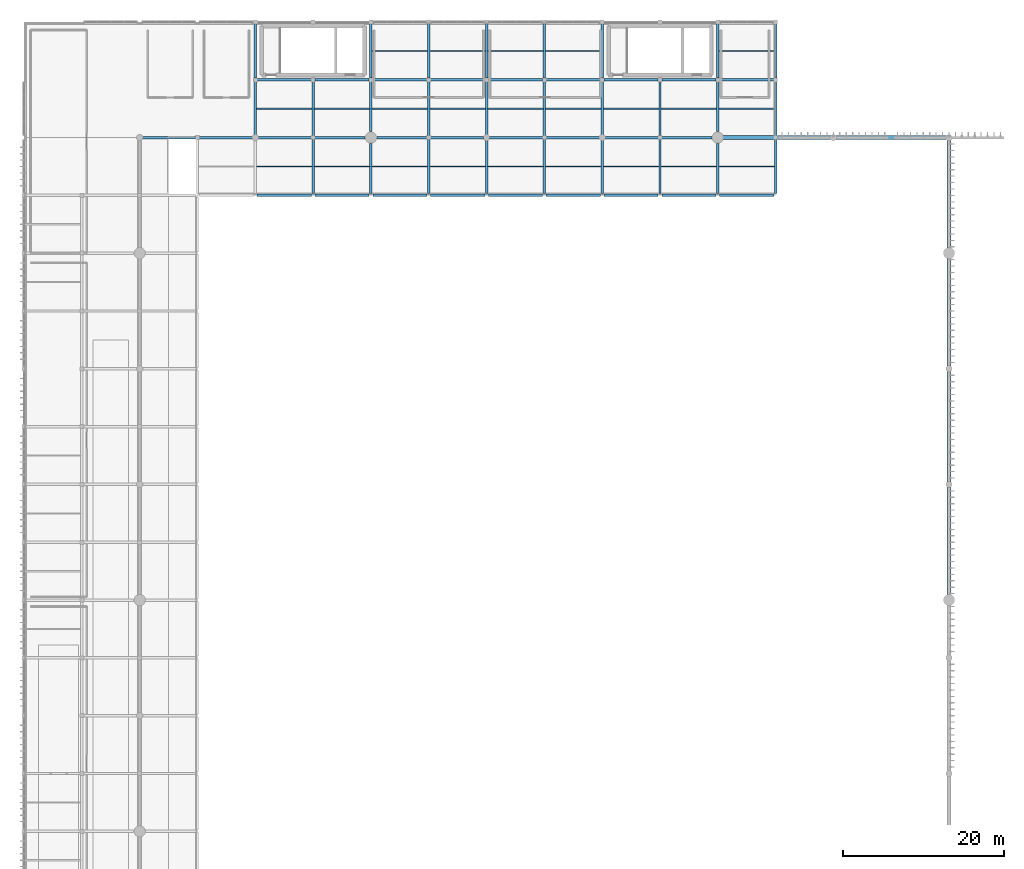
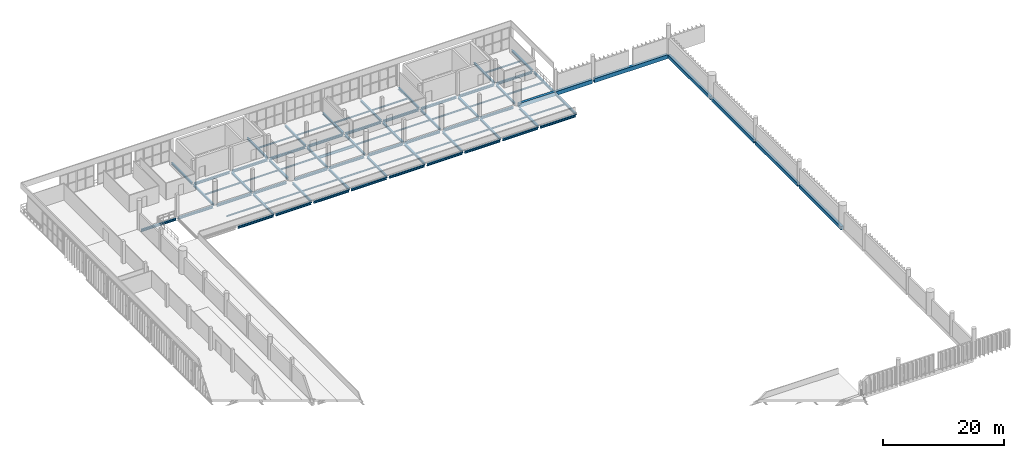
# One storey, part 30 of 64: 84 beams.
"""IFC4 building model written with IfcOpenShell, lengths in metres."""

from ifc_helpers import new_model, si_unit, direction, frame, origin, origin_2d, place, context, subcontext, project, spatial, rectangle, i_section, extrude, material, material_profile, profile_set, type_object, element, save


model = new_model("IFC4")

# Units and contexts
model_context = context("Model", 3, precision=1e-05, world=origin(), true_north=direction((0.0, 1.0)))
body_context = subcontext(model_context, "Body", "Model", "MODEL_VIEW")
ifc_project = project(units=[si_unit("LENGTHUNIT", "METRE"), si_unit("AREAUNIT", "SQUARE_METRE"), si_unit("VOLUMEUNIT", "CUBIC_METRE"), si_unit("PLANEANGLEUNIT", "RADIAN"), si_unit("MASSUNIT", "GRAM", prefix="KILO")], contexts=[model_context])

# Site, building, storey
site_placement = place(None, origin())
site = spatial("IfcSite", under=ifc_project, at=site_placement, CompositionType="ELEMENT")
building_placement = place(site_placement, origin())
building = spatial("IfcBuilding", under=site, at=building_placement, Name="Qandorah Velis Arena", CompositionType="ELEMENT")
storey_placement = place(building_placement, frame((0.0, 0.0, 23.0)))
storey = spatial("IfcBuildingStorey", under=building, at=storey_placement, Name="L05", CompositionType="ELEMENT", Elevation=23.0)

# Beams
ifc_material_1 = material(Name="Steel S355", Category="steel")
ifc_material_profile_1 = material_profile(ifc_material_1, i_section(OverallWidth=0.300048828125, OverallDepth=0.39990234375, WebThickness=0.013427734375, FlangeThickness=0.02392578125, FilletRadius=0.027099609375, at=origin_2d()), Name="HEB 400")
ifc_profile_set_1 = profile_set([ifc_material_profile_1], Name="Steel S355")
beam_type_1 = type_object("IfcBeamType", Name="STR-BM-HEB400", PredefinedType="BEAM", material=ifc_profile_set_1)
beam_1_placement = place(storey_placement, frame((28.800048828125, 115.550048828125, -0.449951171875), z_axis=(0.0, 1.0, 0.0), x_axis=(-1.0, 0.0, 0.0)))
element("IfcBeam", 1, at=beam_1_placement, inside=storey, type_object=beam_type_1, Name="Primary floor girder L05 Y-156", PredefinedType="BEAM", context=body_context, shape_type="SweptSolid", body=[
    extrude(i_section(OverallWidth=0.300048828125, OverallDepth=0.39990234375, WebThickness=0.013427734375, FlangeThickness=0.02392578125, FilletRadius=0.027099609375, at=origin_2d()), origin(), (0.0, 0.0, 1.0), 6.625),
])
for number, where, z_axis, x_axis, name in (
    (2, (28.800048828125, 122.625, -0.449951171875), (0.0, 1.0, 0.0), (-1.0, 0.0, 0.0), "Primary floor girder L05 Y-157"),
    (3, (36.0, 108.22509765625, -0.449951171875), (0.0, 1.0, 0.0), (-1.0, 0.0, 0.0), "Primary floor girder L05 Y-160"),
):
    element("IfcBeam", number, at=place(storey_placement, frame(where, z_axis=z_axis, x_axis=x_axis)), inside=storey, type_object=beam_type_1, Name=name, PredefinedType="BEAM", context=body_context, shape_type="SweptSolid", body=[
        extrude(i_section(OverallWidth=0.300048828125, OverallDepth=0.39990234375, WebThickness=0.013427734375, FlangeThickness=0.02392578125, FilletRadius=0.027099609375, at=origin_2d()), origin(), (0.0, 0.0, 1.0), 6.79638671875),
    ])
beam_2_placement = place(storey_placement, frame((36.0, 115.37841796875, -0.449951171875), z_axis=(0.0, 1.0, 0.0), x_axis=(-1.0, 0.0, 0.0)))
element("IfcBeam", 4, at=beam_2_placement, inside=storey, type_object=beam_type_1, Name="Primary floor girder L05 Y-161", PredefinedType="BEAM", context=body_context, shape_type="SweptSolid", body=[
    extrude(i_section(OverallWidth=0.300048828125, OverallDepth=0.39990234375, WebThickness=0.013427734375, FlangeThickness=0.02392578125, FilletRadius=0.027099609375, at=origin_2d()), origin(), (0.0, 0.0, 1.0), 6.796630859375),
])
beam_3_placement = place(storey_placement, frame((43.199951171875, 108.22509765625, -0.449951171875), z_axis=(0.0, 1.0, 0.0), x_axis=(-1.0, 0.0, 0.0)))
element("IfcBeam", 5, at=beam_3_placement, inside=storey, type_object=beam_type_1, Name="Primary floor girder L05 Y-165", PredefinedType="BEAM", context=body_context, shape_type="SweptSolid", body=[
    extrude(i_section(OverallWidth=0.300048828125, OverallDepth=0.39990234375, WebThickness=0.013427734375, FlangeThickness=0.02392578125, FilletRadius=0.027099609375, at=origin_2d()), origin(), (0.0, 0.0, 1.0), 6.224853515625),
])
beam_4_placement = place(storey_placement, frame((43.199951171875, 115.949951171875, -0.449951171875), z_axis=(0.0, 1.0, 0.0), x_axis=(-1.0, 0.0, 0.0)))
element("IfcBeam", 6, at=beam_4_placement, inside=storey, type_object=beam_type_1, Name="Primary floor girder L05 Y-166", PredefinedType="BEAM", context=body_context, shape_type="SweptSolid", body=[
    extrude(i_section(OverallWidth=0.300048828125, OverallDepth=0.39990234375, WebThickness=0.013427734375, FlangeThickness=0.02392578125, FilletRadius=0.027099609375, at=origin_2d()), origin(), (0.0, 0.0, 1.0), 6.22509765625),
])
for number, where, z_axis, x_axis, name in (
    (7, (43.199951171875, 122.625, -0.449951171875), (0.0, 1.0, 0.0), (-1.0, 0.0, 0.0), "Primary floor girder L05 Y-167"),
    (8, (50.39990234375, 108.22509765625, -0.449951171875), (0.0, 1.0, 0.0), (-1.0, 0.0, 0.0), "Primary floor girder L05 Y-171"),
):
    element("IfcBeam", number, at=place(storey_placement, frame(where, z_axis=z_axis, x_axis=x_axis)), inside=storey, type_object=beam_type_1, Name=name, PredefinedType="BEAM", context=body_context, shape_type="SweptSolid", body=[
        extrude(i_section(OverallWidth=0.300048828125, OverallDepth=0.39990234375, WebThickness=0.013427734375, FlangeThickness=0.02392578125, FilletRadius=0.027099609375, at=origin_2d()), origin(), (0.0, 0.0, 1.0), 6.79638671875),
    ])
beam_5_placement = place(storey_placement, frame((50.39990234375, 115.37841796875, -0.449951171875), z_axis=(0.0, 1.0, 0.0), x_axis=(-1.0, 0.0, 0.0)))
element("IfcBeam", 9, at=beam_5_placement, inside=storey, type_object=beam_type_1, Name="Primary floor girder L05 Y-172", PredefinedType="BEAM", context=body_context, shape_type="SweptSolid", body=[
    extrude(i_section(OverallWidth=0.300048828125, OverallDepth=0.39990234375, WebThickness=0.013427734375, FlangeThickness=0.02392578125, FilletRadius=0.027099609375, at=origin_2d()), origin(), (0.0, 0.0, 1.0), 6.796630859375),
])
beam_6_placement = place(storey_placement, frame((50.39990234375, 122.625, -0.449951171875), z_axis=(0.0, 1.0, 0.0), x_axis=(-1.0, 0.0, 0.0)))
element("IfcBeam", 10, at=beam_6_placement, inside=storey, type_object=beam_type_1, Name="Primary floor girder L05 Y-173", PredefinedType="BEAM", context=body_context, shape_type="SweptSolid", body=[
    extrude(i_section(OverallWidth=0.300048828125, OverallDepth=0.39990234375, WebThickness=0.013427734375, FlangeThickness=0.02392578125, FilletRadius=0.027099609375, at=origin_2d()), origin(), (0.0, 0.0, 1.0), 6.79638671875),
])
for number, where, z_axis, x_axis, name in (
    (11, (57.60009765625, 108.22509765625, -0.449951171875), (0.0, 1.0, 0.0), (-1.0, 0.0, 0.0), "Primary floor girder L05 Y-177"),
    (12, (57.60009765625, 115.550048828125, -0.449951171875), (0.0, 1.0, 0.0), (-1.0, 0.0, 0.0), "Primary floor girder L05 Y-178"),
):
    element("IfcBeam", number, at=place(storey_placement, frame(where, z_axis=z_axis, x_axis=x_axis)), inside=storey, type_object=beam_type_1, Name=name, PredefinedType="BEAM", context=body_context, shape_type="SweptSolid", body=[
        extrude(i_section(OverallWidth=0.300048828125, OverallDepth=0.39990234375, WebThickness=0.013427734375, FlangeThickness=0.02392578125, FilletRadius=0.027099609375, at=origin_2d()), origin(), (0.0, 0.0, 1.0), 6.625),
    ])
for number, where, z_axis, x_axis, name in (
    (13, (57.60009765625, 122.625, -0.449951171875), (0.0, 1.0, 0.0), (-1.0, 0.0, 0.0), "Primary floor girder L05 Y-179"),
    (14, (64.800048828125, 108.22509765625, -0.449951171875), (0.0, 1.0, 0.0), (-1.0, 0.0, 0.0), "Primary floor girder L05 Y-183"),
):
    element("IfcBeam", number, at=place(storey_placement, frame(where, z_axis=z_axis, x_axis=x_axis)), inside=storey, type_object=beam_type_1, Name=name, PredefinedType="BEAM", context=body_context, shape_type="SweptSolid", body=[
        extrude(i_section(OverallWidth=0.300048828125, OverallDepth=0.39990234375, WebThickness=0.013427734375, FlangeThickness=0.02392578125, FilletRadius=0.027099609375, at=origin_2d()), origin(), (0.0, 0.0, 1.0), 6.79638671875),
    ])
beam_7_placement = place(storey_placement, frame((64.800048828125, 115.37841796875, -0.449951171875), z_axis=(0.0, 1.0, 0.0), x_axis=(-1.0, 0.0, 0.0)))
element("IfcBeam", 15, at=beam_7_placement, inside=storey, type_object=beam_type_1, Name="Primary floor girder L05 Y-184", PredefinedType="BEAM", context=body_context, shape_type="SweptSolid", body=[
    extrude(i_section(OverallWidth=0.300048828125, OverallDepth=0.39990234375, WebThickness=0.013427734375, FlangeThickness=0.02392578125, FilletRadius=0.027099609375, at=origin_2d()), origin(), (0.0, 0.0, 1.0), 6.796630859375),
])
beam_8_placement = place(storey_placement, frame((64.800048828125, 122.625, -0.449951171875), z_axis=(0.0, 1.0, 0.0), x_axis=(-1.0, 0.0, 0.0)))
element("IfcBeam", 16, at=beam_8_placement, inside=storey, type_object=beam_type_1, Name="Primary floor girder L05 Y-185", PredefinedType="BEAM", context=body_context, shape_type="SweptSolid", body=[
    extrude(i_section(OverallWidth=0.300048828125, OverallDepth=0.39990234375, WebThickness=0.013427734375, FlangeThickness=0.02392578125, FilletRadius=0.027099609375, at=origin_2d()), origin(), (0.0, 0.0, 1.0), 6.79638671875),
])
for number, where, z_axis, x_axis, name in (
    (17, (72.0, 108.22509765625, -0.449951171875), (0.0, 1.0, 0.0), (-1.0, 0.0, 0.0), "Primary floor girder L05 Y-189"),
    (18, (72.0, 115.550048828125, -0.449951171875), (0.0, 1.0, 0.0), (-1.0, 0.0, 0.0), "Primary floor girder L05 Y-190"),
):
    element("IfcBeam", number, at=place(storey_placement, frame(where, z_axis=z_axis, x_axis=x_axis)), inside=storey, type_object=beam_type_1, Name=name, PredefinedType="BEAM", context=body_context, shape_type="SweptSolid", body=[
        extrude(i_section(OverallWidth=0.300048828125, OverallDepth=0.39990234375, WebThickness=0.013427734375, FlangeThickness=0.02392578125, FilletRadius=0.027099609375, at=origin_2d()), origin(), (0.0, 0.0, 1.0), 6.625),
    ])
for number, where, z_axis, x_axis, name in (
    (19, (72.0, 122.625, -0.449951171875), (0.0, 1.0, 0.0), (-1.0, 0.0, 0.0), "Primary floor girder L05 Y-191"),
    (20, (79.199951171875, 108.22509765625, -0.449951171875), (0.0, 1.0, 0.0), (-1.0, 0.0, 0.0), "Primary floor girder L05 Y-194"),
):
    element("IfcBeam", number, at=place(storey_placement, frame(where, z_axis=z_axis, x_axis=x_axis)), inside=storey, type_object=beam_type_1, Name=name, PredefinedType="BEAM", context=body_context, shape_type="SweptSolid", body=[
        extrude(i_section(OverallWidth=0.300048828125, OverallDepth=0.39990234375, WebThickness=0.013427734375, FlangeThickness=0.02392578125, FilletRadius=0.027099609375, at=origin_2d()), origin(), (0.0, 0.0, 1.0), 6.79638671875),
    ])
beam_9_placement = place(storey_placement, frame((79.199951171875, 115.37841796875, -0.449951171875), z_axis=(0.0, 1.0, 0.0), x_axis=(-1.0, 0.0, 0.0)))
element("IfcBeam", 21, at=beam_9_placement, inside=storey, type_object=beam_type_1, Name="Primary floor girder L05 Y-195", PredefinedType="BEAM", context=body_context, shape_type="SweptSolid", body=[
    extrude(i_section(OverallWidth=0.300048828125, OverallDepth=0.39990234375, WebThickness=0.013427734375, FlangeThickness=0.02392578125, FilletRadius=0.027099609375, at=origin_2d()), origin(), (0.0, 0.0, 1.0), 6.796630859375),
])
beam_10_placement = place(storey_placement, frame((86.39990234375, 108.22509765625, -0.449951171875), z_axis=(0.0, 1.0, 0.0), x_axis=(-1.0, 0.0, 0.0)))
element("IfcBeam", 22, at=beam_10_placement, inside=storey, type_object=beam_type_1, Name="Primary floor girder L05 Y-199", PredefinedType="BEAM", context=body_context, shape_type="SweptSolid", body=[
    extrude(i_section(OverallWidth=0.300048828125, OverallDepth=0.39990234375, WebThickness=0.013427734375, FlangeThickness=0.02392578125, FilletRadius=0.027099609375, at=origin_2d()), origin(), (0.0, 0.0, 1.0), 6.224853515625),
])
beam_11_placement = place(storey_placement, frame((86.39990234375, 115.949951171875, -0.449951171875), z_axis=(0.0, 1.0, 0.0), x_axis=(-1.0, 0.0, 0.0)))
element("IfcBeam", 23, at=beam_11_placement, inside=storey, type_object=beam_type_1, Name="Primary floor girder L05 Y-200", PredefinedType="BEAM", context=body_context, shape_type="SweptSolid", body=[
    extrude(i_section(OverallWidth=0.300048828125, OverallDepth=0.39990234375, WebThickness=0.013427734375, FlangeThickness=0.02392578125, FilletRadius=0.027099609375, at=origin_2d()), origin(), (0.0, 0.0, 1.0), 6.22509765625),
])
for number, where, z_axis, x_axis, name in (
    (24, (86.39990234375, 122.625, -0.449951171875), (0.0, 1.0, 0.0), (-1.0, 0.0, 0.0), "Primary floor girder L05 Y-201"),
    (25, (93.60009765625, 108.22509765625, -0.449951171875), (0.0, 1.0, 0.0), (-1.0, 0.0, 0.0), "Primary floor girder L05 Y-205"),
):
    element("IfcBeam", number, at=place(storey_placement, frame(where, z_axis=z_axis, x_axis=x_axis)), inside=storey, type_object=beam_type_1, Name=name, PredefinedType="BEAM", context=body_context, shape_type="SweptSolid", body=[
        extrude(i_section(OverallWidth=0.300048828125, OverallDepth=0.39990234375, WebThickness=0.013427734375, FlangeThickness=0.02392578125, FilletRadius=0.027099609375, at=origin_2d()), origin(), (0.0, 0.0, 1.0), 6.79638671875),
    ])
beam_12_placement = place(storey_placement, frame((93.60009765625, 115.37841796875, -0.449951171875), z_axis=(0.0, 1.0, 0.0), x_axis=(-1.0, 0.0, 0.0)))
element("IfcBeam", 26, at=beam_12_placement, inside=storey, type_object=beam_type_1, Name="Primary floor girder L05 Y-206", PredefinedType="BEAM", context=body_context, shape_type="SweptSolid", body=[
    extrude(i_section(OverallWidth=0.300048828125, OverallDepth=0.39990234375, WebThickness=0.013427734375, FlangeThickness=0.02392578125, FilletRadius=0.027099609375, at=origin_2d()), origin(), (0.0, 0.0, 1.0), 6.796630859375),
])
beam_13_placement = place(storey_placement, frame((93.60009765625, 122.625, -0.449951171875), z_axis=(0.0, 1.0, 0.0), x_axis=(-1.0, 0.0, 0.0)))
element("IfcBeam", 27, at=beam_13_placement, inside=storey, type_object=beam_type_1, Name="Primary floor girder L05 Y-207", PredefinedType="BEAM", context=body_context, shape_type="SweptSolid", body=[
    extrude(i_section(OverallWidth=0.300048828125, OverallDepth=0.39990234375, WebThickness=0.013427734375, FlangeThickness=0.02392578125, FilletRadius=0.027099609375, at=origin_2d()), origin(), (0.0, 0.0, 1.0), 6.79638671875),
])
ifc_material_profile_2 = material_profile(ifc_material_1, i_section(OverallWidth=0.300048828125, OverallDepth=0.449951171875, WebThickness=0.013916015625, FlangeThickness=0.02587890625, FilletRadius=0.027099609375, at=origin_2d()), Name="HEB 450")
ifc_profile_set_2 = profile_set([ifc_material_profile_2], Name="Steel S355")
beam_type_2 = type_object("IfcBeamType", Name="STR-BM-HEB450", PredefinedType="BEAM", material=ifc_profile_set_2)
for number, where, z_axis, x_axis, name in (
    (28, (29.02490234375, 108.0, -0.47509765625), (1.0, 0.0, 0.0), (0.0, 1.0, 0.0), "Primary floor girder L05 X-077"),
    (29, (36.22509765625, 108.0, -0.47509765625), (1.0, 0.0, 0.0), (0.0, 1.0, 0.0), "Primary floor girder L05 X-078"),
    (30, (43.425048828125, 108.0, -0.47509765625), (1.0, 0.0, 0.0), (0.0, 1.0, 0.0), "Primary floor girder L05 X-079"),
    (31, (50.625, 108.0, -0.47509765625), (1.0, 0.0, 0.0), (0.0, 1.0, 0.0), "Primary floor girder L05 X-080"),
    (32, (57.824951171875, 108.0, -0.47509765625), (1.0, 0.0, 0.0), (0.0, 1.0, 0.0), "Primary floor girder L05 X-081"),
    (33, (65.02490234375, 108.0, -0.47509765625), (1.0, 0.0, 0.0), (0.0, 1.0, 0.0), "Primary floor girder L05 X-082"),
    (34, (72.22509765625, 108.0, -0.47509765625), (1.0, 0.0, 0.0), (0.0, 1.0, 0.0), "Primary floor girder L05 X-083"),
    (35, (79.425048828125, 108.0, -0.47509765625), (1.0, 0.0, 0.0), (0.0, 1.0, 0.0), "Primary floor girder L05 X-084"),
    (36, (86.625, 108.0, -0.47509765625), (1.0, 0.0, 0.0), (0.0, 1.0, 0.0), "Primary floor girder L05 X-085"),
):
    element("IfcBeam", number, at=place(storey_placement, frame(where, z_axis=z_axis, x_axis=x_axis)), inside=storey, type_object=beam_type_2, Name=name, PredefinedType="BEAM", context=body_context, shape_type="SweptSolid", body=[
        extrude(i_section(OverallWidth=0.300048828125, OverallDepth=0.449951171875, WebThickness=0.013916015625, FlangeThickness=0.02587890625, FilletRadius=0.027099609375, at=origin_2d()), origin(), (0.0, 0.0, 1.0), 6.75),
    ])
for number, where, z_axis, x_axis, name in (
    (37, (14.75, 115.199951171875, -0.47509765625), (1.0, 0.0, 0.0), (0.0, 1.0, 0.0), "Primary floor girder L05 X-086"),
    (38, (21.778564453125, 115.199951171875, -0.47509765625), (1.0, 0.0, 0.0), (0.0, 1.0, 0.0), "Primary floor girder L05 X-087"),
):
    element("IfcBeam", number, at=place(storey_placement, frame(where, z_axis=z_axis, x_axis=x_axis)), inside=storey, type_object=beam_type_2, Name=name, PredefinedType="BEAM", context=body_context, shape_type="SweptSolid", body=[
        extrude(i_section(OverallWidth=0.300048828125, OverallDepth=0.449951171875, WebThickness=0.013916015625, FlangeThickness=0.02587890625, FilletRadius=0.027099609375, at=origin_2d()), origin(), (0.0, 0.0, 1.0), 6.67138671875),
    ])
beam_14_placement = place(storey_placement, frame((29.14990234375, 115.199951171875, -0.47509765625), z_axis=(1.0, 0.0, 0.0), x_axis=(0.0, 1.0, 0.0)))
element("IfcBeam", 39, at=beam_14_placement, inside=storey, type_object=beam_type_2, Name="Primary floor girder L05 X-088", PredefinedType="BEAM", context=body_context, shape_type="SweptSolid", body=[
    extrude(i_section(OverallWidth=0.300048828125, OverallDepth=0.449951171875, WebThickness=0.013916015625, FlangeThickness=0.02587890625, FilletRadius=0.027099609375, at=origin_2d()), origin(), (0.0, 0.0, 1.0), 6.671630859375),
])
for number, where, z_axis, x_axis, name in (
    (40, (36.178466796875, 115.199951171875, -0.47509765625), (1.0, 0.0, 0.0), (0.0, 1.0, 0.0), "Primary floor girder L05 X-089"),
    (41, (43.949951171875, 115.199951171875, -0.47509765625), (1.0, 0.0, 0.0), (0.0, 1.0, 0.0), "Primary floor girder L05 X-090"),
):
    element("IfcBeam", number, at=place(storey_placement, frame(where, z_axis=z_axis, x_axis=x_axis)), inside=storey, type_object=beam_type_2, Name=name, PredefinedType="BEAM", context=body_context, shape_type="SweptSolid", body=[
        extrude(i_section(OverallWidth=0.300048828125, OverallDepth=0.449951171875, WebThickness=0.013916015625, FlangeThickness=0.02587890625, FilletRadius=0.027099609375, at=origin_2d()), origin(), (0.0, 0.0, 1.0), 6.271484375),
    ])
beam_15_placement = place(storey_placement, frame((50.57861328125, 115.199951171875, -0.47509765625), z_axis=(1.0, 0.0, 0.0), x_axis=(0.0, 1.0, 0.0)))
element("IfcBeam", 42, at=beam_15_placement, inside=storey, type_object=beam_type_2, Name="Primary floor girder L05 X-091", PredefinedType="BEAM", context=body_context, shape_type="SweptSolid", body=[
    extrude(i_section(OverallWidth=0.300048828125, OverallDepth=0.449951171875, WebThickness=0.013916015625, FlangeThickness=0.02587890625, FilletRadius=0.027099609375, at=origin_2d()), origin(), (0.0, 0.0, 1.0), 6.67138671875),
])
beam_16_placement = place(storey_placement, frame((57.949951171875, 115.199951171875, -0.47509765625), z_axis=(1.0, 0.0, 0.0), x_axis=(0.0, 1.0, 0.0)))
element("IfcBeam", 43, at=beam_16_placement, inside=storey, type_object=beam_type_2, Name="Primary floor girder L05 X-092", PredefinedType="BEAM", context=body_context, shape_type="SweptSolid", body=[
    extrude(i_section(OverallWidth=0.300048828125, OverallDepth=0.449951171875, WebThickness=0.013916015625, FlangeThickness=0.02587890625, FilletRadius=0.027099609375, at=origin_2d()), origin(), (0.0, 0.0, 1.0), 6.671630859375),
])
for number, where, z_axis, x_axis, name in (
    (44, (64.978515625, 115.199951171875, -0.47509765625), (1.0, 0.0, 0.0), (0.0, 1.0, 0.0), "Primary floor girder L05 X-093"),
    (45, (72.35009765625, 115.199951171875, -0.47509765625), (1.0, 0.0, 0.0), (0.0, 1.0, 0.0), "Primary floor girder L05 X-094"),
):
    element("IfcBeam", number, at=place(storey_placement, frame(where, z_axis=z_axis, x_axis=x_axis)), inside=storey, type_object=beam_type_2, Name=name, PredefinedType="BEAM", context=body_context, shape_type="SweptSolid", body=[
        extrude(i_section(OverallWidth=0.300048828125, OverallDepth=0.449951171875, WebThickness=0.013916015625, FlangeThickness=0.02587890625, FilletRadius=0.027099609375, at=origin_2d()), origin(), (0.0, 0.0, 1.0), 6.67138671875),
    ])
beam_17_placement = place(storey_placement, frame((79.37841796875, 115.199951171875, -0.47509765625), z_axis=(1.0, 0.0, 0.0), x_axis=(0.0, 1.0, 0.0)))
element("IfcBeam", 46, at=beam_17_placement, inside=storey, type_object=beam_type_2, Name="Primary floor girder L05 X-095", PredefinedType="BEAM", context=body_context, shape_type="SweptSolid", body=[
    extrude(i_section(OverallWidth=0.300048828125, OverallDepth=0.449951171875, WebThickness=0.013916015625, FlangeThickness=0.02587890625, FilletRadius=0.027099609375, at=origin_2d()), origin(), (0.0, 0.0, 1.0), 6.271484375),
])
for number, where, z_axis, x_axis, name in (
    (47, (29.02490234375, 122.39990234375, -0.47509765625), (1.0, 0.0, 0.0), (0.0, 1.0, 0.0), "Primary floor girder L05 X-096"),
    (48, (36.22509765625, 122.39990234375, -0.47509765625), (1.0, 0.0, 0.0), (0.0, 1.0, 0.0), "Primary floor girder L05 X-097"),
    (49, (43.425048828125, 122.39990234375, -0.47509765625), (1.0, 0.0, 0.0), (0.0, 1.0, 0.0), "Primary floor girder L05 X-098"),
    (50, (50.625, 122.39990234375, -0.47509765625), (1.0, 0.0, 0.0), (0.0, 1.0, 0.0), "Primary floor girder L05 X-099"),
    (51, (57.824951171875, 122.39990234375, -0.47509765625), (1.0, 0.0, 0.0), (0.0, 1.0, 0.0), "Primary floor girder L05 X-100"),
    (52, (65.02490234375, 122.39990234375, -0.47509765625), (1.0, 0.0, 0.0), (0.0, 1.0, 0.0), "Primary floor girder L05 X-101"),
    (53, (72.22509765625, 122.39990234375, -0.47509765625), (1.0, 0.0, 0.0), (0.0, 1.0, 0.0), "Primary floor girder L05 X-102"),
    (54, (79.425048828125, 122.39990234375, -0.47509765625), (1.0, 0.0, 0.0), (0.0, 1.0, 0.0), "Primary floor girder L05 X-103"),
    (55, (86.625, 122.39990234375, -0.47509765625), (1.0, 0.0, 0.0), (0.0, 1.0, 0.0), "Primary floor girder L05 X-104"),
):
    element("IfcBeam", number, at=place(storey_placement, frame(where, z_axis=z_axis, x_axis=x_axis)), inside=storey, type_object=beam_type_2, Name=name, PredefinedType="BEAM", context=body_context, shape_type="SweptSolid", body=[
        extrude(i_section(OverallWidth=0.300048828125, OverallDepth=0.449951171875, WebThickness=0.013916015625, FlangeThickness=0.02587890625, FilletRadius=0.027099609375, at=origin_2d()), origin(), (0.0, 0.0, 1.0), 6.75),
    ])
ifc_material_profile_3 = material_profile(ifc_material_1, i_section(OverallWidth=0.14990234375, OverallDepth=0.300048828125, WebThickness=0.007080078125, FlangeThickness=0.0107421875, FilletRadius=0.014892578125, at=origin_2d()), Name="IPE 300")
ifc_profile_set_3 = profile_set([ifc_material_profile_3], Name="Steel S355")
beam_type_3 = type_object("IfcBeamType", Name="STR-JST-IPE300", PredefinedType="JOIST", material=ifc_profile_set_3)
for number, where, z_axis, x_axis, name in (
    (56, (28.93505859375, 111.60009765625, -0.39990234375), (1.0, 0.0, 0.0), (0.0, 1.0, 0.0), "Secondary floor joist L05-013"),
    (57, (28.93505859375, 118.800048828125, -0.39990234375), (1.0, 0.0, 0.0), (0.0, 1.0, 0.0), "Secondary floor joist L05-014"),
    (58, (36.135009765625, 111.60009765625, -0.39990234375), (1.0, 0.0, 0.0), (0.0, 1.0, 0.0), "Secondary floor joist L05-017"),
    (59, (36.135009765625, 118.800048828125, -0.39990234375), (1.0, 0.0, 0.0), (0.0, 1.0, 0.0), "Secondary floor joist L05-018"),
    (60, (43.3349609375, 111.60009765625, -0.39990234375), (1.0, 0.0, 0.0), (0.0, 1.0, 0.0), "Secondary floor joist L05-022"),
    (61, (43.3349609375, 118.800048828125, -0.39990234375), (1.0, 0.0, 0.0), (0.0, 1.0, 0.0), "Secondary floor joist L05-023"),
    (62, (43.3349609375, 126.0, -0.39990234375), (1.0, 0.0, 0.0), (0.0, 1.0, 0.0), "Secondary floor joist L05-024"),
):
    element("IfcBeam", number, at=place(storey_placement, frame(where, z_axis=z_axis, x_axis=x_axis)), inside=storey, type_object=beam_type_3, Name=name, PredefinedType="JOIST", context=body_context, shape_type="SweptSolid", body=[
        extrude(i_section(OverallWidth=0.14990234375, OverallDepth=0.300048828125, WebThickness=0.007080078125, FlangeThickness=0.0107421875, FilletRadius=0.014892578125, at=origin_2d()), origin(), (0.0, 0.0, 1.0), 6.929931640625),
    ])
for number, where, z_axis, x_axis, name in (
    (63, (50.534912109375, 111.60009765625, -0.39990234375), (1.0, 0.0, 0.0), (0.0, 1.0, 0.0), "Secondary floor joist L05-028"),
    (64, (50.534912109375, 126.0, -0.39990234375), (1.0, 0.0, 0.0), (0.0, 1.0, 0.0), "Secondary floor joist L05-030"),
):
    element("IfcBeam", number, at=place(storey_placement, frame(where, z_axis=z_axis, x_axis=x_axis)), inside=storey, type_object=beam_type_3, Name=name, PredefinedType="JOIST", context=body_context, shape_type="SweptSolid", body=[
        extrude(i_section(OverallWidth=0.14990234375, OverallDepth=0.300048828125, WebThickness=0.007080078125, FlangeThickness=0.0107421875, FilletRadius=0.014892578125, at=origin_2d()), origin(), (0.0, 0.0, 1.0), 6.93017578125),
    ])
for number, where, z_axis, x_axis, name in (
    (65, (57.735107421875, 111.60009765625, -0.39990234375), (1.0, 0.0, 0.0), (0.0, 1.0, 0.0), "Secondary floor joist L05-034"),
    (66, (57.735107421875, 118.800048828125, -0.39990234375), (1.0, 0.0, 0.0), (0.0, 1.0, 0.0), "Secondary floor joist L05-035"),
    (67, (57.735107421875, 126.0, -0.39990234375), (1.0, 0.0, 0.0), (0.0, 1.0, 0.0), "Secondary floor joist L05-036"),
    (68, (64.93505859375, 111.60009765625, -0.39990234375), (1.0, 0.0, 0.0), (0.0, 1.0, 0.0), "Secondary floor joist L05-040"),
    (69, (64.93505859375, 118.800048828125, -0.39990234375), (1.0, 0.0, 0.0), (0.0, 1.0, 0.0), "Secondary floor joist L05-041"),
    (70, (64.93505859375, 126.0, -0.39990234375), (1.0, 0.0, 0.0), (0.0, 1.0, 0.0), "Secondary floor joist L05-042"),
    (71, (72.135009765625, 111.60009765625, -0.39990234375), (1.0, 0.0, 0.0), (0.0, 1.0, 0.0), "Secondary floor joist L05-045"),
    (72, (72.135009765625, 118.800048828125, -0.39990234375), (1.0, 0.0, 0.0), (0.0, 1.0, 0.0), "Secondary floor joist L05-046"),
    (73, (79.3349609375, 111.60009765625, -0.39990234375), (1.0, 0.0, 0.0), (0.0, 1.0, 0.0), "Secondary floor joist L05-049"),
    (74, (79.3349609375, 118.800048828125, -0.39990234375), (1.0, 0.0, 0.0), (0.0, 1.0, 0.0), "Secondary floor joist L05-050"),
):
    element("IfcBeam", number, at=place(storey_placement, frame(where, z_axis=z_axis, x_axis=x_axis)), inside=storey, type_object=beam_type_3, Name=name, PredefinedType="JOIST", context=body_context, shape_type="SweptSolid", body=[
        extrude(i_section(OverallWidth=0.14990234375, OverallDepth=0.300048828125, WebThickness=0.007080078125, FlangeThickness=0.0107421875, FilletRadius=0.014892578125, at=origin_2d()), origin(), (0.0, 0.0, 1.0), 6.929931640625),
    ])
for number, where, z_axis, x_axis, name in (
    (75, (86.534912109375, 111.60009765625, -0.39990234375), (1.0, 0.0, 0.0), (0.0, 1.0, 0.0), "Secondary floor joist L05-054"),
    (76, (86.534912109375, 118.800048828125, -0.39990234375), (1.0, 0.0, 0.0), (0.0, 1.0, 0.0), "Secondary floor joist L05-055"),
    (77, (86.534912109375, 126.0, -0.39990234375), (1.0, 0.0, 0.0), (0.0, 1.0, 0.0), "Secondary floor joist L05-056"),
):
    element("IfcBeam", number, at=place(storey_placement, frame(where, z_axis=z_axis, x_axis=x_axis)), inside=storey, type_object=beam_type_3, Name=name, PredefinedType="JOIST", context=body_context, shape_type="SweptSolid", body=[
        extrude(i_section(OverallWidth=0.14990234375, OverallDepth=0.300048828125, WebThickness=0.007080078125, FlangeThickness=0.0107421875, FilletRadius=0.014892578125, at=origin_2d()), origin(), (0.0, 0.0, 1.0), 6.93017578125),
    ])
ifc_material_profile_4 = material_profile(ifc_material_1, i_section(OverallWidth=0.2099609375, OverallDepth=0.550048828125, WebThickness=0.010986328125, FlangeThickness=0.01708984375, FilletRadius=0.02392578125, at=origin_2d()), Name="IPE 550")
ifc_profile_set_4 = profile_set([ifc_material_profile_4], Name="Steel S355")
beam_type_4 = type_object("IfcBeamType", Name="STR-JST-IPE550", PredefinedType="JOIST", material=ifc_profile_set_4)
beam_18_placement = place(storey_placement, frame((50.534912109375, 118.800048828125, -0.52490234375), z_axis=(1.0, 0.0, 0.0), x_axis=(0.0, 1.0, 0.0)))
element("IfcBeam", 78, at=beam_18_placement, inside=storey, type_object=beam_type_4, Name="Secondary floor joist L05-029", PredefinedType="JOIST", context=body_context, shape_type="SweptSolid", body=[
    extrude(i_section(OverallWidth=0.2099609375, OverallDepth=0.550048828125, WebThickness=0.010986328125, FlangeThickness=0.01708984375, FilletRadius=0.02392578125, at=origin_2d()), origin(), (0.0, 0.0, 1.0), 6.93017578125),
])
ifc_material_2 = material(Name="Concrete C40/50", Category="concrete")
ifc_material_profile_5 = material_profile(ifc_material_2, rectangle(XDim=0.449951171875, YDim=0.699951171875, at=origin_2d()), Name="RC BM 450x700")
ifc_profile_set_5 = profile_set([ifc_material_profile_5], Name="Concrete C40/50")
beam_type_5 = type_object("IfcBeamType", Name="STR-RCBM-450X700", PredefinedType="BEAM", material=ifc_profile_set_5)
for number, where, z_axis, x_axis, name in (
    (79, (115.199951171875, 57.820068359375, -0.35009765625), (0.0, 1.0, 0.0), (-1.0, 0.0, 0.0), "Drum east ring beam L05-5"),
    (80, (115.199951171875, 72.219970703125, -0.35009765625), (0.0, 1.0, 0.0), (-1.0, 0.0, 0.0), "Drum east ring beam L05-6"),
    (81, (115.199951171875, 86.6201171875, -0.35009765625), (0.0, 1.0, 0.0), (-1.0, 0.0, 0.0), "Drum east ring beam L05-7"),
    (82, (115.199951171875, 101.02001953125, -0.35009765625), (0.0, 1.0, 0.0), (-1.0, 0.0, 0.0), "Drum east ring beam L05-8"),
):
    element("IfcBeam", number, at=place(storey_placement, frame(where, z_axis=z_axis, x_axis=x_axis)), inside=storey, type_object=beam_type_5, Name=name, PredefinedType="BEAM", context=body_context, shape_type="SweptSolid", body=[
        extrude(rectangle(XDim=0.449951171875, YDim=0.699951171875, at=origin_2d()), origin(), (0.0, 0.0, 1.0), 13.9599609375),
    ])
ifc_material_profile_6 = material_profile(ifc_material_2, rectangle(XDim=0.5, YDim=0.800048828125, at=origin_2d()), Name="RC BM 500x800")
ifc_profile_set_6 = profile_set([ifc_material_profile_6], Name="Concrete C40/50")
beam_type_6 = type_object("IfcBeamType", Name="STR-RCBM-500X800", PredefinedType="BEAM", material=ifc_profile_set_6)
for number, where, z_axis, x_axis, name in (
    (83, (86.6201171875, 115.199951171875, -0.39990234375), (1.0, 0.0, 0.0), (0.0, 1.0, 0.0), "Drum north ring beam L05-6"),
    (84, (101.02001953125, 115.199951171875, -0.39990234375), (1.0, 0.0, 0.0), (0.0, 1.0, 0.0), "Drum north ring beam L05-7"),
):
    element("IfcBeam", number, at=place(storey_placement, frame(where, z_axis=z_axis, x_axis=x_axis)), inside=storey, type_object=beam_type_6, Name=name, PredefinedType="BEAM", context=body_context, shape_type="SweptSolid", body=[
        extrude(rectangle(XDim=0.5, YDim=0.800048828125, at=origin_2d()), origin(), (0.0, 0.0, 1.0), 13.9599609375),
    ])

save(model, "model.ifc")
